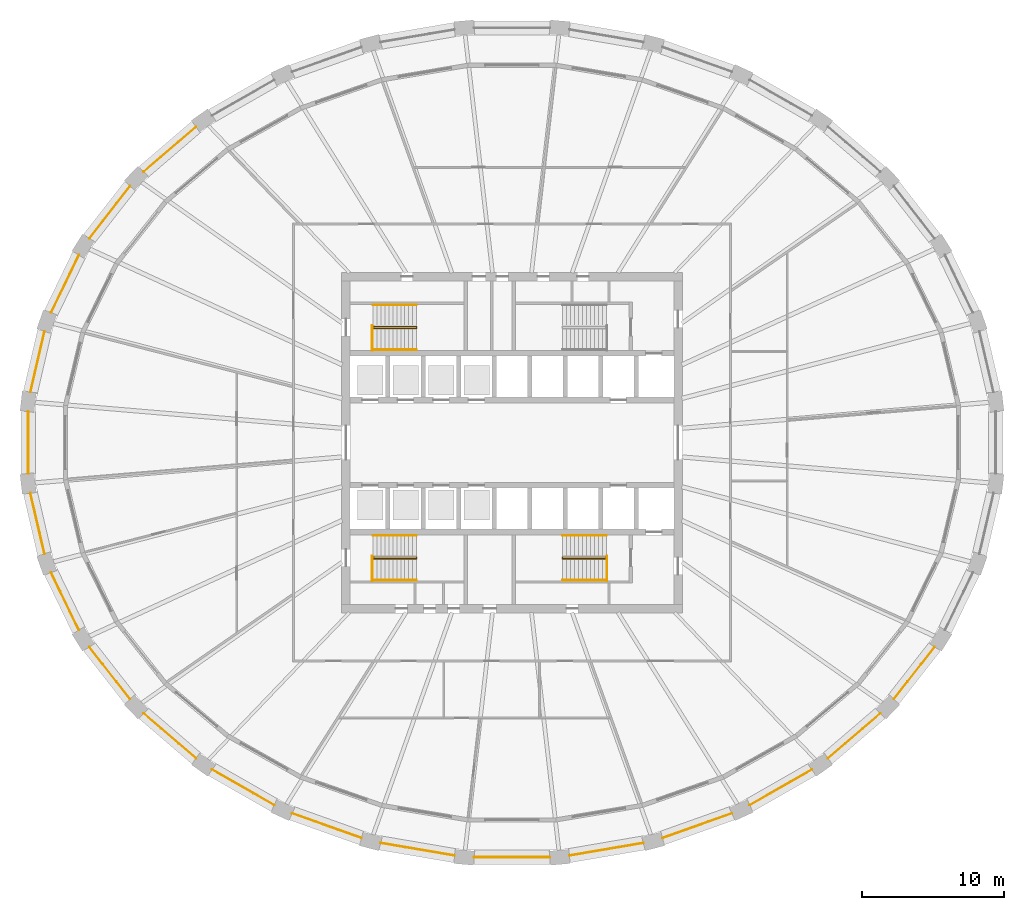
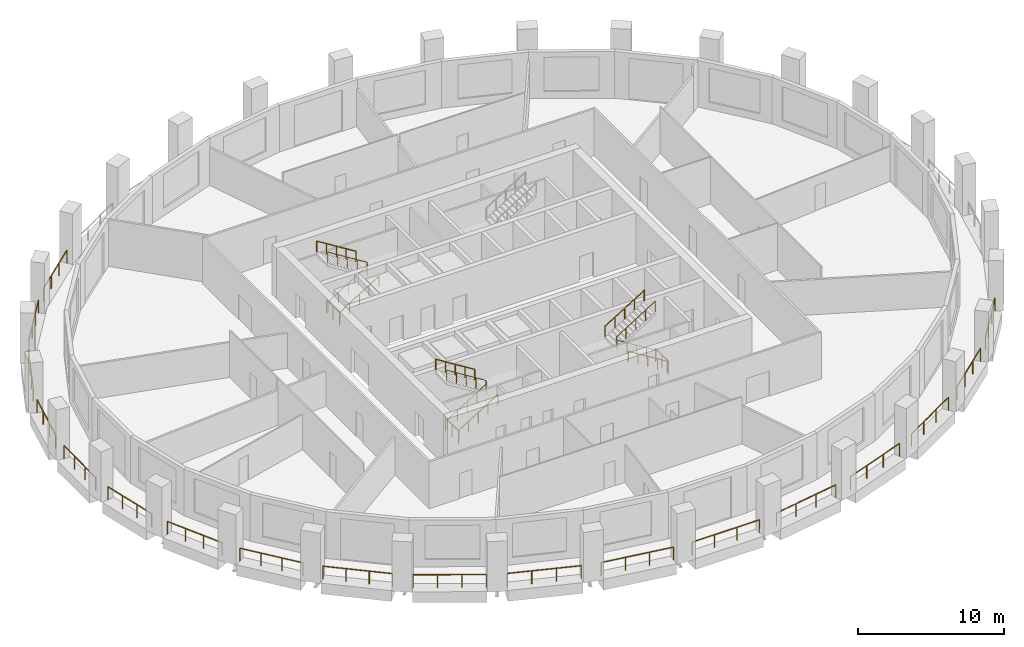
# One storey, part 9 of 11: 30 railings.
"""IFC4 building model written with IfcOpenShell, lengths in metres."""

from ifc_helpers import new_model, si_unit, direction, frame, origin, origin_2d, place, context, subcontext, project, spatial, circle, extrude, material, type_object, element, save


model = new_model("IFC4")

# Units and contexts
model_context = context("Model", 3, precision=1e-05, world=origin(), true_north=direction((0.0, 1.0)))
body_context = subcontext(model_context, "Body", "Model", "MODEL_VIEW")
ifc_project = project(units=[si_unit("LENGTHUNIT", "METRE"), si_unit("AREAUNIT", "SQUARE_METRE"), si_unit("VOLUMEUNIT", "CUBIC_METRE"), si_unit("PLANEANGLEUNIT", "RADIAN"), si_unit("MASSUNIT", "GRAM", prefix="KILO")], contexts=[model_context])

# Site, building, storey
site_placement = place(None, origin())
site = spatial("IfcSite", under=ifc_project, at=site_placement, CompositionType="ELEMENT")
building_placement = place(site_placement, origin())
building = spatial("IfcBuilding", under=site, at=building_placement, Name="Halqa Exchange Tower", CompositionType="ELEMENT")
storey_placement = place(building_placement, frame((0.0, 0.0, 146.5)))
storey = spatial("IfcBuildingStorey", under=building, at=storey_placement, Name="L33", CompositionType="ELEMENT", Elevation=146.5)

# Railings
ifc_material = material(Name="Stainless steel", Category="steel")
railing_type_1 = type_object("IfcRailingType", Name="Guard 1100 stainless steel", PredefinedType="GUARDRAIL", material=ifc_material)
railing_1_placement = place(storey_placement, frame((-22.267822265625, 22.24658203125, 0.0)))
element("IfcRailing", 1, at=railing_1_placement, inside=storey, type_object=railing_type_1, Name="Loggia guard 12", PredefinedType="GUARDRAIL", context=body_context, shape_type="SweptSolid", body=[
    extrude(circle(Radius=0.02392578125, at=origin_2d()), frame((0.0, 0.0, 1.076171875), z_axis=(-0.759277898417, -0.650766527239, 0.0), x_axis=(0.650766527239, -0.759277898417, 0.0)), (0.0, 0.0, 1.0), 4.855224609375),
    extrude(circle(Radius=0.02099609375, at=origin_2d()), origin(), (0.0, 0.0, 1.0), 1.052001953125),
    extrude(circle(Radius=0.02099609375, at=origin_2d()), frame((-1.228759765625, -1.05322265625, 0.0)), (0.0, 0.0, 1.0), 1.052001953125),
    extrude(circle(Radius=0.02099609375, at=origin_2d()), frame((-2.457763671875, -2.1064453125, 0.0)), (0.0, 0.0, 1.0), 1.052001953125),
    extrude(circle(Radius=0.02099609375, at=origin_2d()), frame((-3.6865234375, -3.15966796875, 0.0)), (0.0, 0.0, 1.0), 1.052001953125),
])
railing_2_placement = place(storey_placement, frame((-26.916259765625, 18.0791015625, 0.0)))
element("IfcRailing", 2, at=railing_2_placement, inside=storey, type_object=railing_type_1, Name="Loggia guard 13", PredefinedType="GUARDRAIL", context=body_context, shape_type="SweptSolid", body=[
    extrude(circle(Radius=0.02392578125, at=origin_2d()), frame((0.0, 0.0, 1.076171875), z_axis=(-0.614794475966, -0.788687360316, 0.0), x_axis=(0.788687360316, -0.614794475966, 0.0)), (0.0, 0.0, 1.0), 4.669677734375),
    extrude(circle(Radius=0.02099609375, at=origin_2d()), origin(), (0.0, 0.0, 1.0), 1.052001953125),
    extrude(circle(Radius=0.02099609375, at=origin_2d()), frame((-0.95703125, -1.2275390625, 0.0)), (0.0, 0.0, 1.0), 1.052001953125),
    extrude(circle(Radius=0.02099609375, at=origin_2d()), frame((-1.913818359375, -2.455322265625, 0.0)), (0.0, 0.0, 1.0), 1.052001953125),
    extrude(circle(Radius=0.02099609375, at=origin_2d()), frame((-2.870849609375, -3.682861328125, 0.0)), (0.0, 0.0, 1.0), 1.052001953125),
])
railing_3_placement = place(storey_placement, frame((-30.52197265625, 13.2138671875, 0.0)))
element("IfcRailing", 3, at=railing_3_placement, inside=storey, type_object=railing_type_1, Name="Loggia guard 14", PredefinedType="GUARDRAIL", context=body_context, shape_type="SweptSolid", body=[
    extrude(circle(Radius=0.02392578125, at=origin_2d()), frame((0.0, 0.0, 1.076171875), z_axis=(-0.435104993677, -0.900379722382, 0.0), x_axis=(0.900379722382, -0.435104993677, 0.0)), (0.0, 0.0, 1.0), 4.50732421875),
    extrude(circle(Radius=0.02099609375, at=origin_2d()), origin(), (0.0, 0.0, 1.0), 1.052001953125),
    extrude(circle(Radius=0.02099609375, at=origin_2d()), frame((-0.65380859375, -1.352783203125, 0.0)), (0.0, 0.0, 1.0), 1.052001953125),
    extrude(circle(Radius=0.02099609375, at=origin_2d()), frame((-1.307373046875, -2.70556640625, 0.0)), (0.0, 0.0, 1.0), 1.052001953125),
    extrude(circle(Radius=0.02099609375, at=origin_2d()), frame((-1.961181640625, -4.058349609375, 0.0)), (0.0, 0.0, 1.0), 1.052001953125),
])
railing_4_placement = place(storey_placement, frame((-32.946044921875, 7.84326171875, 0.0)))
element("IfcRailing", 4, at=railing_4_placement, inside=storey, type_object=railing_type_1, Name="Loggia guard 15", PredefinedType="GUARDRAIL", context=body_context, shape_type="SweptSolid", body=[
    extrude(circle(Radius=0.02392578125, at=origin_2d()), frame((0.0, 0.0, 1.076171875), z_axis=(-0.226063843212, -0.974112487751, 0.0), x_axis=(0.974112487751, -0.226063843212, 0.0)), (0.0, 0.0, 1.0), 4.396484375),
    extrude(circle(Radius=0.02099609375, at=origin_2d()), origin(), (0.0, 0.0, 1.0), 1.052001953125),
    extrude(circle(Radius=0.02099609375, at=origin_2d()), frame((-0.331298828125, -1.427490234375, 0.0)), (0.0, 0.0, 1.0), 1.052001953125),
    extrude(circle(Radius=0.02099609375, at=origin_2d()), frame((-0.66259765625, -2.855224609375, 0.0)), (0.0, 0.0, 1.0), 1.052001953125),
    extrude(circle(Radius=0.02099609375, at=origin_2d()), frame((-0.993896484375, -4.28271484375, 0.0)), (0.0, 0.0, 1.0), 1.052001953125),
])
railing_5_placement = place(storey_placement, frame((-34.09814453125, 2.1787109375, 0.0)))
element("IfcRailing", 5, at=railing_5_placement, inside=storey, type_object=railing_type_1, Name="Loggia guard 16", PredefinedType="GUARDRAIL", context=body_context, shape_type="SweptSolid", body=[
    extrude(circle(Radius=0.02392578125, at=origin_2d()), frame((0.0, 0.0, 1.076171875), z_axis=(0.0, -1.0, 0.0), x_axis=(1.0, 0.0, 0.0)), (0.0, 0.0, 1.0), 4.357421875),
    extrude(circle(Radius=0.02099609375, at=origin_2d()), origin(), (0.0, 0.0, 1.0), 1.052001953125),
    extrude(circle(Radius=0.02099609375, at=origin_2d()), frame((0.0, -1.452392578125, 0.0)), (0.0, 0.0, 1.0), 1.052001953125),
    extrude(circle(Radius=0.02099609375, at=origin_2d()), frame((0.0, -2.905029296875, 0.0)), (0.0, 0.0, 1.0), 1.052001953125),
    extrude(circle(Radius=0.02099609375, at=origin_2d()), frame((0.0, -4.357421875, 0.0)), (0.0, 0.0, 1.0), 1.052001953125),
])
railing_6_placement = place(storey_placement, frame((-33.93994140625, -3.560546875, 0.0)))
element("IfcRailing", 6, at=railing_6_placement, inside=storey, type_object=railing_type_1, Name="Loggia guard 17", PredefinedType="GUARDRAIL", context=body_context, shape_type="SweptSolid", body=[
    extrude(circle(Radius=0.02392578125, at=origin_2d()), frame((0.0, 0.0, 1.076171875), z_axis=(0.226063843212, -0.974112487751, 0.0), x_axis=(0.974112487751, 0.226063843212, 0.0)), (0.0, 0.0, 1.0), 4.396484375),
    extrude(circle(Radius=0.02099609375, at=origin_2d()), origin(), (0.0, 0.0, 1.0), 1.052001953125),
    extrude(circle(Radius=0.02099609375, at=origin_2d()), frame((0.331298828125, -1.427490234375, 0.0)), (0.0, 0.0, 1.0), 1.052001953125),
    extrude(circle(Radius=0.02099609375, at=origin_2d()), frame((0.66259765625, -2.855224609375, 0.0)), (0.0, 0.0, 1.0), 1.052001953125),
    extrude(circle(Radius=0.02099609375, at=origin_2d()), frame((0.993896484375, -4.28271484375, 0.0)), (0.0, 0.0, 1.0), 1.052001953125),
])
railing_7_placement = place(storey_placement, frame((-32.483154296875, -9.155517578125, 0.0)))
element("IfcRailing", 7, at=railing_7_placement, inside=storey, type_object=railing_type_1, Name="Loggia guard 18", PredefinedType="GUARDRAIL", context=body_context, shape_type="SweptSolid", body=[
    extrude(circle(Radius=0.02392578125, at=origin_2d()), frame((0.0, 0.0, 1.076171875), z_axis=(0.435104993677, -0.900379722382, 0.0), x_axis=(0.900379722382, 0.435104993677, 0.0)), (0.0, 0.0, 1.0), 4.50732421875),
    extrude(circle(Radius=0.02099609375, at=origin_2d()), origin(), (0.0, 0.0, 1.0), 1.052001953125),
    extrude(circle(Radius=0.02099609375, at=origin_2d()), frame((0.65380859375, -1.352783203125, 0.0)), (0.0, 0.0, 1.0), 1.052001953125),
    extrude(circle(Radius=0.02099609375, at=origin_2d()), frame((1.307373046875, -2.70556640625, 0.0)), (0.0, 0.0, 1.0), 1.052001953125),
    extrude(circle(Radius=0.02099609375, at=origin_2d()), frame((1.961181640625, -4.058349609375, 0.0)), (0.0, 0.0, 1.0), 1.052001953125),
])
railing_8_placement = place(storey_placement, frame((-29.787109375, -14.396240234375, 0.0)))
element("IfcRailing", 8, at=railing_8_placement, inside=storey, type_object=railing_type_1, Name="Loggia guard 19", PredefinedType="GUARDRAIL", context=body_context, shape_type="SweptSolid", body=[
    extrude(circle(Radius=0.02392578125, at=origin_2d()), frame((0.0, 0.0, 1.076171875), z_axis=(0.614794475966, -0.788687360316, 0.0), x_axis=(0.788687360316, 0.614794475966, 0.0)), (0.0, 0.0, 1.0), 4.669677734375),
    extrude(circle(Radius=0.02099609375, at=origin_2d()), origin(), (0.0, 0.0, 1.0), 1.052001953125),
    extrude(circle(Radius=0.02099609375, at=origin_2d()), frame((0.95703125, -1.2275390625, 0.0)), (0.0, 0.0, 1.0), 1.052001953125),
    extrude(circle(Radius=0.02099609375, at=origin_2d()), frame((1.913818359375, -2.455322265625, 0.0)), (0.0, 0.0, 1.0), 1.052001953125),
    extrude(circle(Radius=0.02099609375, at=origin_2d()), frame((2.870849609375, -3.682861328125, 0.0)), (0.0, 0.0, 1.0), 1.052001953125),
])
railing_9_placement = place(storey_placement, frame((-25.954345703125, -19.0869140625, 0.0)))
element("IfcRailing", 9, at=railing_9_placement, inside=storey, type_object=railing_type_1, Name="Loggia guard 20", PredefinedType="GUARDRAIL", context=body_context, shape_type="SweptSolid", body=[
    extrude(circle(Radius=0.02392578125, at=origin_2d()), frame((0.0, 0.0, 1.076171875), z_axis=(0.759277898417, -0.650766527239, 0.0), x_axis=(0.650766527239, 0.759277898417, 0.0)), (0.0, 0.0, 1.0), 4.855224609375),
    extrude(circle(Radius=0.02099609375, at=origin_2d()), origin(), (0.0, 0.0, 1.0), 1.052001953125),
    extrude(circle(Radius=0.02099609375, at=origin_2d()), frame((1.228759765625, -1.05322265625, 0.0)), (0.0, 0.0, 1.0), 1.052001953125),
    extrude(circle(Radius=0.02099609375, at=origin_2d()), frame((2.457763671875, -2.1064453125, 0.0)), (0.0, 0.0, 1.0), 1.052001953125),
    extrude(circle(Radius=0.02099609375, at=origin_2d()), frame((3.6865234375, -3.15966796875, 0.0)), (0.0, 0.0, 1.0), 1.052001953125),
])
railing_10_placement = place(storey_placement, frame((-21.12890625, -23.050048828125, 0.0)))
element("IfcRailing", 10, at=railing_10_placement, inside=storey, type_object=railing_type_1, Name="Loggia guard 21", PredefinedType="GUARDRAIL", context=body_context, shape_type="SweptSolid", body=[
    extrude(circle(Radius=0.02392578125, at=origin_2d()), frame((0.0, 0.0, 1.076171875), z_axis=(0.867762399845, -0.496979292743, 0.0), x_axis=(0.496979292743, 0.867762399845, 0.0)), (0.0, 0.0, 1.0), 5.035888671875),
    extrude(circle(Radius=0.02099609375, at=origin_2d()), origin(), (0.0, 0.0, 1.0), 1.052001953125),
    extrude(circle(Radius=0.02099609375, at=origin_2d()), frame((1.45654296875, -0.834228515625, 0.0)), (0.0, 0.0, 1.0), 1.052001953125),
    extrude(circle(Radius=0.02099609375, at=origin_2d()), frame((2.913330078125, -1.66845703125, 0.0)), (0.0, 0.0, 1.0), 1.052001953125),
    extrude(circle(Radius=0.02099609375, at=origin_2d()), frame((4.369873046875, -2.502685546875, 0.0)), (0.0, 0.0, 1.0), 1.052001953125),
])
railing_11_placement = place(storey_placement, frame((-15.491943359375, -26.135009765625, 0.0)))
element("IfcRailing", 11, at=railing_11_placement, inside=storey, type_object=railing_type_1, Name="Loggia guard 22", PredefinedType="GUARDRAIL", context=body_context, shape_type="SweptSolid", body=[
    extrude(circle(Radius=0.02392578125, at=origin_2d()), frame((0.0, 0.0, 1.076171875), z_axis=(0.942379387613, -0.334546095183, 0.0), x_axis=(0.334546095183, 0.942379387613, 0.0)), (0.0, 0.0, 1.0), 5.18505859375),
    extrude(circle(Radius=0.02099609375, at=origin_2d()), origin(), (0.0, 0.0, 1.0), 1.052001953125),
    extrude(circle(Radius=0.02099609375, at=origin_2d()), frame((1.628662109375, -0.578125, 0.0)), (0.0, 0.0, 1.0), 1.052001953125),
    extrude(circle(Radius=0.02099609375, at=origin_2d()), frame((3.257568359375, -1.156494140625, 0.0)), (0.0, 0.0, 1.0), 1.052001953125),
    extrude(circle(Radius=0.02099609375, at=origin_2d()), frame((4.88623046875, -1.734619140625, 0.0)), (0.0, 0.0, 1.0), 1.052001953125),
])
railing_12_placement = place(storey_placement, frame((-9.256103515625, -28.2216796875, 0.0)))
element("IfcRailing", 12, at=railing_12_placement, inside=storey, type_object=railing_type_1, Name="Loggia guard 23", PredefinedType="GUARDRAIL", context=body_context, shape_type="SweptSolid", body=[
    extrude(circle(Radius=0.02392578125, at=origin_2d()), frame((0.0, 0.0, 1.076171875), z_axis=(0.985781455071, -0.168032505304, 0.0), x_axis=(0.168032505304, 0.985781455071, 0.0)), (0.0, 0.0, 1.0), 5.282958984375),
    extrude(circle(Radius=0.02099609375, at=origin_2d()), origin(), (0.0, 0.0, 1.0), 1.052001953125),
    extrude(circle(Radius=0.02099609375, at=origin_2d()), frame((1.73583984375, -0.2958984375, 0.0)), (0.0, 0.0, 1.0), 1.052001953125),
    extrude(circle(Radius=0.02099609375, at=origin_2d()), frame((3.471923828125, -0.591796875, 0.0)), (0.0, 0.0, 1.0), 1.052001953125),
    extrude(circle(Radius=0.02099609375, at=origin_2d()), frame((5.207763671875, -0.8876953125, 0.0)), (0.0, 0.0, 1.0), 1.052001953125),
])
railing_13_placement = place(storey_placement, frame((-2.658447265625, -29.22705078125, 0.0)))
element("IfcRailing", 13, at=railing_13_placement, inside=storey, type_object=railing_type_1, Name="Loggia guard 24", PredefinedType="GUARDRAIL", context=body_context, shape_type="SweptSolid", body=[
    extrude(circle(Radius=0.02392578125, at=origin_2d()), frame((0.0, 0.0, 1.076171875), z_axis=(1.0, 0.0, 0.0), x_axis=(0.0, 1.0, 0.0)), (0.0, 0.0, 1.0), 5.31689453125),
    extrude(circle(Radius=0.02099609375, at=origin_2d()), origin(), (0.0, 0.0, 1.0), 1.052001953125),
    extrude(circle(Radius=0.02099609375, at=origin_2d()), frame((1.772216796875, 0.0, 0.0)), (0.0, 0.0, 1.0), 1.052001953125),
    extrude(circle(Radius=0.02099609375, at=origin_2d()), frame((3.544677734375, 0.0, 0.0)), (0.0, 0.0, 1.0), 1.052001953125),
    extrude(circle(Radius=0.02099609375, at=origin_2d()), frame((5.31689453125, 0.0, 0.0)), (0.0, 0.0, 1.0), 1.052001953125),
])
railing_14_placement = place(storey_placement, frame((4.04833984375, -29.109375, 0.0)))
element("IfcRailing", 14, at=railing_14_placement, inside=storey, type_object=railing_type_1, Name="Loggia guard 25", PredefinedType="GUARDRAIL", context=body_context, shape_type="SweptSolid", body=[
    extrude(circle(Radius=0.02392578125, at=origin_2d()), frame((0.0, 0.0, 1.076171875), z_axis=(0.985781455071, 0.168032505304, 0.0), x_axis=(-0.168032505304, 0.985781455071, 0.0)), (0.0, 0.0, 1.0), 5.282958984375),
    extrude(circle(Radius=0.02099609375, at=origin_2d()), origin(), (0.0, 0.0, 1.0), 1.052001953125),
    extrude(circle(Radius=0.02099609375, at=origin_2d()), frame((1.73583984375, 0.2958984375, 0.0)), (0.0, 0.0, 1.0), 1.052001953125),
    extrude(circle(Radius=0.02099609375, at=origin_2d()), frame((3.471923828125, 0.591796875, 0.0)), (0.0, 0.0, 1.0), 1.052001953125),
    extrude(circle(Radius=0.02099609375, at=origin_2d()), frame((5.207763671875, 0.8876953125, 0.0)), (0.0, 0.0, 1.0), 1.052001953125),
])
railing_15_placement = place(storey_placement, frame((10.605712890625, -27.86962890625, 0.0)))
element("IfcRailing", 15, at=railing_15_placement, inside=storey, type_object=railing_type_1, Name="Loggia guard 26", PredefinedType="GUARDRAIL", context=body_context, shape_type="SweptSolid", body=[
    extrude(circle(Radius=0.02392578125, at=origin_2d()), frame((0.0, 0.0, 1.076171875), z_axis=(0.942379387613, 0.334546095183, 0.0), x_axis=(-0.334546095183, 0.942379387613, 0.0)), (0.0, 0.0, 1.0), 5.18505859375),
    extrude(circle(Radius=0.02099609375, at=origin_2d()), origin(), (0.0, 0.0, 1.0), 1.052001953125),
    extrude(circle(Radius=0.02099609375, at=origin_2d()), frame((1.628662109375, 0.578125, 0.0)), (0.0, 0.0, 1.0), 1.052001953125),
    extrude(circle(Radius=0.02099609375, at=origin_2d()), frame((3.257568359375, 1.156494140625, 0.0)), (0.0, 0.0, 1.0), 1.052001953125),
    extrude(circle(Radius=0.02099609375, at=origin_2d()), frame((4.88623046875, 1.734619140625, 0.0)), (0.0, 0.0, 1.0), 1.052001953125),
])
railing_16_placement = place(storey_placement, frame((16.759033203125, -25.552734375, 0.0)))
element("IfcRailing", 16, at=railing_16_placement, inside=storey, type_object=railing_type_1, Name="Loggia guard 27", PredefinedType="GUARDRAIL", context=body_context, shape_type="SweptSolid", body=[
    extrude(circle(Radius=0.02392578125, at=origin_2d()), frame((0.0, 0.0, 1.076171875), z_axis=(0.867762399845, 0.496979292743, 0.0), x_axis=(-0.496979292743, 0.867762399845, 0.0)), (0.0, 0.0, 1.0), 5.035888671875),
    extrude(circle(Radius=0.02099609375, at=origin_2d()), origin(), (0.0, 0.0, 1.0), 1.052001953125),
    extrude(circle(Radius=0.02099609375, at=origin_2d()), frame((1.45654296875, 0.834228515625, 0.0)), (0.0, 0.0, 1.0), 1.052001953125),
    extrude(circle(Radius=0.02099609375, at=origin_2d()), frame((2.913330078125, 1.66845703125, 0.0)), (0.0, 0.0, 1.0), 1.052001953125),
    extrude(circle(Radius=0.02099609375, at=origin_2d()), frame((4.369873046875, 2.502685546875, 0.0)), (0.0, 0.0, 1.0), 1.052001953125),
])
railing_17_placement = place(storey_placement, frame((22.267822265625, -22.24658203125, 0.0)))
element("IfcRailing", 17, at=railing_17_placement, inside=storey, type_object=railing_type_1, Name="Loggia guard 28", PredefinedType="GUARDRAIL", context=body_context, shape_type="SweptSolid", body=[
    extrude(circle(Radius=0.02392578125, at=origin_2d()), frame((0.0, 0.0, 1.076171875), z_axis=(0.759277898417, 0.650766527239, 0.0), x_axis=(-0.650766527239, 0.759277898417, 0.0)), (0.0, 0.0, 1.0), 4.855224609375),
    extrude(circle(Radius=0.02099609375, at=origin_2d()), origin(), (0.0, 0.0, 1.0), 1.052001953125),
    extrude(circle(Radius=0.02099609375, at=origin_2d()), frame((1.228759765625, 1.05322265625, 0.0)), (0.0, 0.0, 1.0), 1.052001953125),
    extrude(circle(Radius=0.02099609375, at=origin_2d()), frame((2.457763671875, 2.1064453125, 0.0)), (0.0, 0.0, 1.0), 1.052001953125),
    extrude(circle(Radius=0.02099609375, at=origin_2d()), frame((3.6865234375, 3.15966796875, 0.0)), (0.0, 0.0, 1.0), 1.052001953125),
])
railing_18_placement = place(storey_placement, frame((26.916259765625, -18.0791015625, 0.0)))
element("IfcRailing", 18, at=railing_18_placement, inside=storey, type_object=railing_type_1, Name="Loggia guard 29", PredefinedType="GUARDRAIL", context=body_context, shape_type="SweptSolid", body=[
    extrude(circle(Radius=0.02392578125, at=origin_2d()), frame((0.0, 0.0, 1.076171875), z_axis=(0.614794475966, 0.788687360316, 0.0), x_axis=(-0.788687360316, 0.614794475966, 0.0)), (0.0, 0.0, 1.0), 4.669677734375),
    extrude(circle(Radius=0.02099609375, at=origin_2d()), origin(), (0.0, 0.0, 1.0), 1.052001953125),
    extrude(circle(Radius=0.02099609375, at=origin_2d()), frame((0.95703125, 1.2275390625, 0.0)), (0.0, 0.0, 1.0), 1.052001953125),
    extrude(circle(Radius=0.02099609375, at=origin_2d()), frame((1.913818359375, 2.455322265625, 0.0)), (0.0, 0.0, 1.0), 1.052001953125),
    extrude(circle(Radius=0.02099609375, at=origin_2d()), frame((2.870849609375, 3.682861328125, 0.0)), (0.0, 0.0, 1.0), 1.052001953125),
])
railing_type_2 = type_object("IfcRailingType", Name="Stair handrail 900", PredefinedType="HANDRAIL", material=ifc_material)
railing_19_placement = place(storey_placement, frame((-9.800048828125, 8.06005859375, 0.175048828125)))
element("IfcRailing", 19, at=railing_19_placement, inside=storey, type_object=railing_type_2, Name="Handrail ST1.1", PredefinedType="HANDRAIL", context=body_context, shape_type="SweptSolid", body=[
    extrude(circle(Radius=0.02392578125, at=origin_2d()), frame((0.0, 0.0, 0.8759765625), z_axis=(0.847998304005, 0.0, 0.529998940003), x_axis=(0.0, 1.0, 0.0)), (0.0, 0.0, 1.0), 3.632080078125),
    extrude(circle(Radius=0.02392578125, at=origin_2d()), frame((3.080078125, 0.0, 2.80078125), z_axis=(0.0, 0.596406559517, 0.802682512433), x_axis=(-1.0, 0.0, 0.0)), (0.0, 0.0, 1.0), 0.2177734375),
    extrude(circle(Radius=0.02392578125, at=origin_2d()), frame((3.080078125, 0.1298828125, 2.9755859375), z_axis=(-0.847998304005, 0.0, 0.529998940003), x_axis=(0.0, -1.0, 0.0)), (0.0, 0.0, 1.0), 3.632080078125),
    extrude(circle(Radius=0.02099609375, at=origin_2d()), origin(), (0.0, 0.0, 1.0), 0.851806640625),
    extrude(circle(Radius=0.02099609375, at=origin_2d()), frame((0.77001953125, 0.0, 0.481201171875)), (0.0, 0.0, 1.0), 0.851806640625),
    extrude(circle(Radius=0.02099609375, at=origin_2d()), frame((1.5400390625, 0.0, 0.96240234375)), (0.0, 0.0, 1.0), 0.851806640625),
    extrude(circle(Radius=0.02099609375, at=origin_2d()), frame((2.31005859375, 0.0, 1.44384765625)), (0.0, 0.0, 1.0), 0.851806640625),
    extrude(circle(Radius=0.02099609375, at=origin_2d()), frame((3.080078125, 0.0, 1.925048828125)), (0.0, 0.0, 1.0), 0.851806640625),
    extrude(circle(Radius=0.02099609375, at=origin_2d()), frame((3.080078125, 0.1298828125, 2.099853515625)), (0.0, 0.0, 1.0), 0.851806640625),
    extrude(circle(Radius=0.02099609375, at=origin_2d()), frame((2.31005859375, 0.1298828125, 2.5810546875)), (0.0, 0.0, 1.0), 0.851806640625),
    extrude(circle(Radius=0.02099609375, at=origin_2d()), frame((1.5400390625, 0.1298828125, 3.0625)), (0.0, 0.0, 1.0), 0.851806640625),
    extrude(circle(Radius=0.02099609375, at=origin_2d()), frame((0.77001953125, 0.1298828125, 3.543701171875)), (0.0, 0.0, 1.0), 0.851806640625),
    extrude(circle(Radius=0.02099609375, at=origin_2d()), frame((0.0, 0.1298828125, 4.02490234375)), (0.0, 0.0, 1.0), 0.851806640625),
])
railing_20_placement = place(storey_placement, frame((-9.800048828125, 6.550048828125, 0.175048828125)))
element("IfcRailing", 20, at=railing_20_placement, inside=storey, type_object=railing_type_2, Name="Handrail ST1.2", PredefinedType="HANDRAIL", context=body_context, shape_type="SweptSolid", body=[
    extrude(circle(Radius=0.02392578125, at=origin_2d()), frame((0.0, 0.0, 0.8759765625), z_axis=(0.847998304005, 0.0, 0.529998940003), x_axis=(0.0, 1.0, 0.0)), (0.0, 0.0, 1.0), 3.632080078125),
    extrude(circle(Radius=0.02099609375, at=origin_2d()), origin(), (0.0, 0.0, 1.0), 0.851806640625),
    extrude(circle(Radius=0.02099609375, at=origin_2d()), frame((0.77001953125, 0.0, 0.481201171875)), (0.0, 0.0, 1.0), 0.851806640625),
    extrude(circle(Radius=0.02099609375, at=origin_2d()), frame((1.5400390625, 0.0, 0.96240234375)), (0.0, 0.0, 1.0), 0.851806640625),
    extrude(circle(Radius=0.02099609375, at=origin_2d()), frame((2.31005859375, 0.0, 1.44384765625)), (0.0, 0.0, 1.0), 0.851806640625),
    extrude(circle(Radius=0.02099609375, at=origin_2d()), frame((3.080078125, 0.0, 1.925048828125)), (0.0, 0.0, 1.0), 0.851806640625),
])
railing_21_placement = place(storey_placement, frame((-6.719970703125, 9.699951171875, 2.27490234375)))
element("IfcRailing", 21, at=railing_21_placement, inside=storey, type_object=railing_type_2, Name="Handrail ST1.3", PredefinedType="HANDRAIL", context=body_context, shape_type="SweptSolid", body=[
    extrude(circle(Radius=0.02392578125, at=origin_2d()), frame((0.0, 0.0, 0.8759765625), z_axis=(-0.847998304005, 0.0, 0.529998940003), x_axis=(0.0, -1.0, 0.0)), (0.0, 0.0, 1.0), 3.632080078125),
    extrude(circle(Radius=0.02099609375, at=origin_2d()), origin(), (0.0, 0.0, 1.0), 0.851806640625),
    extrude(circle(Radius=0.02099609375, at=origin_2d()), frame((-0.77001953125, 0.0, 0.481201171875)), (0.0, 0.0, 1.0), 0.851806640625),
    extrude(circle(Radius=0.02099609375, at=origin_2d()), frame((-1.5400390625, 0.0, 0.96240234375)), (0.0, 0.0, 1.0), 0.851806640625),
    extrude(circle(Radius=0.02099609375, at=origin_2d()), frame((-2.31005859375, 0.0, 1.44384765625)), (0.0, 0.0, 1.0), 0.851806640625),
    extrude(circle(Radius=0.02099609375, at=origin_2d()), frame((-3.080078125, 0.0, 1.925048828125)), (0.0, 0.0, 1.0), 0.851806640625),
])
railing_22_placement = place(storey_placement, frame((-9.800048828125, -8.18994140625, 0.175048828125)))
element("IfcRailing", 22, at=railing_22_placement, inside=storey, type_object=railing_type_2, Name="Handrail ST3.1", PredefinedType="HANDRAIL", context=body_context, shape_type="SweptSolid", body=[
    extrude(circle(Radius=0.02392578125, at=origin_2d()), frame((0.0, 0.0, 0.8759765625), z_axis=(0.847998304005, 0.0, 0.529998940003), x_axis=(0.0, 1.0, 0.0)), (0.0, 0.0, 1.0), 3.632080078125),
    extrude(circle(Radius=0.02392578125, at=origin_2d()), frame((3.080078125, 0.0, 2.80078125), z_axis=(0.0, 0.596406559517, 0.802682512433), x_axis=(-1.0, 0.0, 0.0)), (0.0, 0.0, 1.0), 0.2177734375),
    extrude(circle(Radius=0.02392578125, at=origin_2d()), frame((3.080078125, 0.1298828125, 2.9755859375), z_axis=(-0.847998304005, 0.0, 0.529998940003), x_axis=(0.0, -1.0, 0.0)), (0.0, 0.0, 1.0), 3.632080078125),
    extrude(circle(Radius=0.02099609375, at=origin_2d()), origin(), (0.0, 0.0, 1.0), 0.851806640625),
    extrude(circle(Radius=0.02099609375, at=origin_2d()), frame((0.77001953125, 0.0, 0.481201171875)), (0.0, 0.0, 1.0), 0.851806640625),
    extrude(circle(Radius=0.02099609375, at=origin_2d()), frame((1.5400390625, 0.0, 0.96240234375)), (0.0, 0.0, 1.0), 0.851806640625),
    extrude(circle(Radius=0.02099609375, at=origin_2d()), frame((2.31005859375, 0.0, 1.44384765625)), (0.0, 0.0, 1.0), 0.851806640625),
    extrude(circle(Radius=0.02099609375, at=origin_2d()), frame((3.080078125, 0.0, 1.925048828125)), (0.0, 0.0, 1.0), 0.851806640625),
    extrude(circle(Radius=0.02099609375, at=origin_2d()), frame((3.080078125, 0.1298828125, 2.099853515625)), (0.0, 0.0, 1.0), 0.851806640625),
    extrude(circle(Radius=0.02099609375, at=origin_2d()), frame((2.31005859375, 0.1298828125, 2.5810546875)), (0.0, 0.0, 1.0), 0.851806640625),
    extrude(circle(Radius=0.02099609375, at=origin_2d()), frame((1.5400390625, 0.1298828125, 3.0625)), (0.0, 0.0, 1.0), 0.851806640625),
    extrude(circle(Radius=0.02099609375, at=origin_2d()), frame((0.77001953125, 0.1298828125, 3.543701171875)), (0.0, 0.0, 1.0), 0.851806640625),
    extrude(circle(Radius=0.02099609375, at=origin_2d()), frame((0.0, 0.1298828125, 4.02490234375)), (0.0, 0.0, 1.0), 0.851806640625),
])
railing_23_placement = place(storey_placement, frame((-9.800048828125, -9.699951171875, 0.175048828125)))
element("IfcRailing", 23, at=railing_23_placement, inside=storey, type_object=railing_type_2, Name="Handrail ST3.2", PredefinedType="HANDRAIL", context=body_context, shape_type="SweptSolid", body=[
    extrude(circle(Radius=0.02392578125, at=origin_2d()), frame((0.0, 0.0, 0.8759765625), z_axis=(0.847998304005, 0.0, 0.529998940003), x_axis=(0.0, 1.0, 0.0)), (0.0, 0.0, 1.0), 3.632080078125),
    extrude(circle(Radius=0.02099609375, at=origin_2d()), origin(), (0.0, 0.0, 1.0), 0.851806640625),
    extrude(circle(Radius=0.02099609375, at=origin_2d()), frame((0.77001953125, 0.0, 0.481201171875)), (0.0, 0.0, 1.0), 0.851806640625),
    extrude(circle(Radius=0.02099609375, at=origin_2d()), frame((1.5400390625, 0.0, 0.96240234375)), (0.0, 0.0, 1.0), 0.851806640625),
    extrude(circle(Radius=0.02099609375, at=origin_2d()), frame((2.31005859375, 0.0, 1.44384765625)), (0.0, 0.0, 1.0), 0.851806640625),
    extrude(circle(Radius=0.02099609375, at=origin_2d()), frame((3.080078125, 0.0, 1.925048828125)), (0.0, 0.0, 1.0), 0.851806640625),
])
railing_24_placement = place(storey_placement, frame((-6.719970703125, -6.550048828125, 2.27490234375)))
element("IfcRailing", 24, at=railing_24_placement, inside=storey, type_object=railing_type_2, Name="Handrail ST3.3", PredefinedType="HANDRAIL", context=body_context, shape_type="SweptSolid", body=[
    extrude(circle(Radius=0.02392578125, at=origin_2d()), frame((0.0, 0.0, 0.8759765625), z_axis=(-0.847998304005, 0.0, 0.529998940003), x_axis=(0.0, -1.0, 0.0)), (0.0, 0.0, 1.0), 3.632080078125),
    extrude(circle(Radius=0.02099609375, at=origin_2d()), origin(), (0.0, 0.0, 1.0), 0.851806640625),
    extrude(circle(Radius=0.02099609375, at=origin_2d()), frame((-0.77001953125, 0.0, 0.481201171875)), (0.0, 0.0, 1.0), 0.851806640625),
    extrude(circle(Radius=0.02099609375, at=origin_2d()), frame((-1.5400390625, 0.0, 0.96240234375)), (0.0, 0.0, 1.0), 0.851806640625),
    extrude(circle(Radius=0.02099609375, at=origin_2d()), frame((-2.31005859375, 0.0, 1.44384765625)), (0.0, 0.0, 1.0), 0.851806640625),
    extrude(circle(Radius=0.02099609375, at=origin_2d()), frame((-3.080078125, 0.0, 1.925048828125)), (0.0, 0.0, 1.0), 0.851806640625),
])
railing_25_placement = place(storey_placement, frame((6.64990234375, -8.18994140625, 0.175048828125)))
element("IfcRailing", 25, at=railing_25_placement, inside=storey, type_object=railing_type_2, Name="Handrail ST4.1", PredefinedType="HANDRAIL", context=body_context, shape_type="SweptSolid", body=[
    extrude(circle(Radius=0.02392578125, at=origin_2d()), frame((0.0, 0.0, 0.8759765625), z_axis=(-0.847979421464, 0.0, 0.530029150871), x_axis=(0.0, -1.0, 0.0)), (0.0, 0.0, 1.0), 3.632080078125),
    extrude(circle(Radius=0.02392578125, at=origin_2d()), frame((-3.079833984375, 0.0, 2.80078125), z_axis=(0.0, 0.596406559517, 0.802682512433), x_axis=(-1.0, 0.0, 0.0)), (0.0, 0.0, 1.0), 0.2177734375),
    extrude(circle(Radius=0.02392578125, at=origin_2d()), frame((-3.079833984375, 0.1298828125, 2.9755859375), z_axis=(0.847979421464, 0.0, 0.530029150871), x_axis=(0.0, 1.0, 0.0)), (0.0, 0.0, 1.0), 3.632080078125),
    extrude(circle(Radius=0.02099609375, at=origin_2d()), origin(), (0.0, 0.0, 1.0), 0.851806640625),
    extrude(circle(Radius=0.02099609375, at=origin_2d()), frame((-0.77001953125, 0.0, 0.481201171875)), (0.0, 0.0, 1.0), 0.851806640625),
    extrude(circle(Radius=0.02099609375, at=origin_2d()), frame((-1.5400390625, 0.0, 0.96240234375)), (0.0, 0.0, 1.0), 0.851806640625),
    extrude(circle(Radius=0.02099609375, at=origin_2d()), frame((-2.309814453125, 0.0, 1.44384765625)), (0.0, 0.0, 1.0), 0.851806640625),
    extrude(circle(Radius=0.02099609375, at=origin_2d()), frame((-3.079833984375, 0.0, 1.925048828125)), (0.0, 0.0, 1.0), 0.851806640625),
    extrude(circle(Radius=0.02099609375, at=origin_2d()), frame((-3.079833984375, 0.1298828125, 2.099853515625)), (0.0, 0.0, 1.0), 0.851806640625),
    extrude(circle(Radius=0.02099609375, at=origin_2d()), frame((-2.309814453125, 0.1298828125, 2.5810546875)), (0.0, 0.0, 1.0), 0.851806640625),
    extrude(circle(Radius=0.02099609375, at=origin_2d()), frame((-1.5400390625, 0.1298828125, 3.0625)), (0.0, 0.0, 1.0), 0.851806640625),
    extrude(circle(Radius=0.02099609375, at=origin_2d()), frame((-0.77001953125, 0.1298828125, 3.543701171875)), (0.0, 0.0, 1.0), 0.851806640625),
    extrude(circle(Radius=0.02099609375, at=origin_2d()), frame((0.0, 0.1298828125, 4.02490234375)), (0.0, 0.0, 1.0), 0.851806640625),
])
railing_26_placement = place(storey_placement, frame((6.64990234375, -9.699951171875, 0.175048828125)))
element("IfcRailing", 26, at=railing_26_placement, inside=storey, type_object=railing_type_2, Name="Handrail ST4.2", PredefinedType="HANDRAIL", context=body_context, shape_type="SweptSolid", body=[
    extrude(circle(Radius=0.02392578125, at=origin_2d()), frame((0.0, 0.0, 0.8759765625), z_axis=(-0.847979421464, 0.0, 0.530029150871), x_axis=(0.0, -1.0, 0.0)), (0.0, 0.0, 1.0), 3.632080078125),
    extrude(circle(Radius=0.02099609375, at=origin_2d()), origin(), (0.0, 0.0, 1.0), 0.851806640625),
    extrude(circle(Radius=0.02099609375, at=origin_2d()), frame((-0.77001953125, 0.0, 0.481201171875)), (0.0, 0.0, 1.0), 0.851806640625),
    extrude(circle(Radius=0.02099609375, at=origin_2d()), frame((-1.5400390625, 0.0, 0.96240234375)), (0.0, 0.0, 1.0), 0.851806640625),
    extrude(circle(Radius=0.02099609375, at=origin_2d()), frame((-2.309814453125, 0.0, 1.44384765625)), (0.0, 0.0, 1.0), 0.851806640625),
    extrude(circle(Radius=0.02099609375, at=origin_2d()), frame((-3.079833984375, 0.0, 1.925048828125)), (0.0, 0.0, 1.0), 0.851806640625),
])
railing_27_placement = place(storey_placement, frame((3.570068359375, -6.550048828125, 2.27490234375)))
element("IfcRailing", 27, at=railing_27_placement, inside=storey, type_object=railing_type_2, Name="Handrail ST4.3", PredefinedType="HANDRAIL", context=body_context, shape_type="SweptSolid", body=[
    extrude(circle(Radius=0.02392578125, at=origin_2d()), frame((0.0, 0.0, 0.8759765625), z_axis=(0.847979421464, 0.0, 0.530029150871), x_axis=(0.0, 1.0, 0.0)), (0.0, 0.0, 1.0), 3.632080078125),
    extrude(circle(Radius=0.02099609375, at=origin_2d()), origin(), (0.0, 0.0, 1.0), 0.851806640625),
    extrude(circle(Radius=0.02099609375, at=origin_2d()), frame((0.77001953125, 0.0, 0.481201171875)), (0.0, 0.0, 1.0), 0.851806640625),
    extrude(circle(Radius=0.02099609375, at=origin_2d()), frame((1.5400390625, 0.0, 0.96240234375)), (0.0, 0.0, 1.0), 0.851806640625),
    extrude(circle(Radius=0.02099609375, at=origin_2d()), frame((2.309814453125, 0.0, 1.44384765625)), (0.0, 0.0, 1.0), 0.851806640625),
    extrude(circle(Radius=0.02099609375, at=origin_2d()), frame((3.079833984375, 0.0, 1.925048828125)), (0.0, 0.0, 1.0), 0.851806640625),
])
railing_type_3 = type_object("IfcRailingType", Name="Stair well guard 1100", PredefinedType="GUARDRAIL", material=ifc_material)
for number, where, name in (
    (28, (-9.85009765625, 6.5, 0.0), "Guard ST1 well"),
    (29, (-9.85009765625, -9.75, 0.0), "Guard ST3 well"),
    (30, (6.699951171875, -9.75, 0.0), "Guard ST4 well"),
):
    element("IfcRailing", number, at=place(storey_placement, frame(where)), inside=storey, type_object=railing_type_3, Name=name, PredefinedType="GUARDRAIL", context=body_context, shape_type="SweptSolid", body=[
        extrude(circle(Radius=0.02392578125, at=origin_2d()), frame((0.0, 0.0, 1.076171875), z_axis=(0.0, 1.0, 0.0), x_axis=(-1.0, 0.0, 0.0)), (0.0, 0.0, 1.0), 1.75),
        extrude(circle(Radius=0.02099609375, at=origin_2d()), origin(), (0.0, 0.0, 1.0), 1.052001953125),
        extrude(circle(Radius=0.02099609375, at=origin_2d()), frame((0.0, 0.875, 0.0)), (0.0, 0.0, 1.0), 1.052001953125),
        extrude(circle(Radius=0.02099609375, at=origin_2d()), frame((0.0, 1.75, 0.0)), (0.0, 0.0, 1.0), 1.052001953125),
    ])

save(model, "model.ifc")
